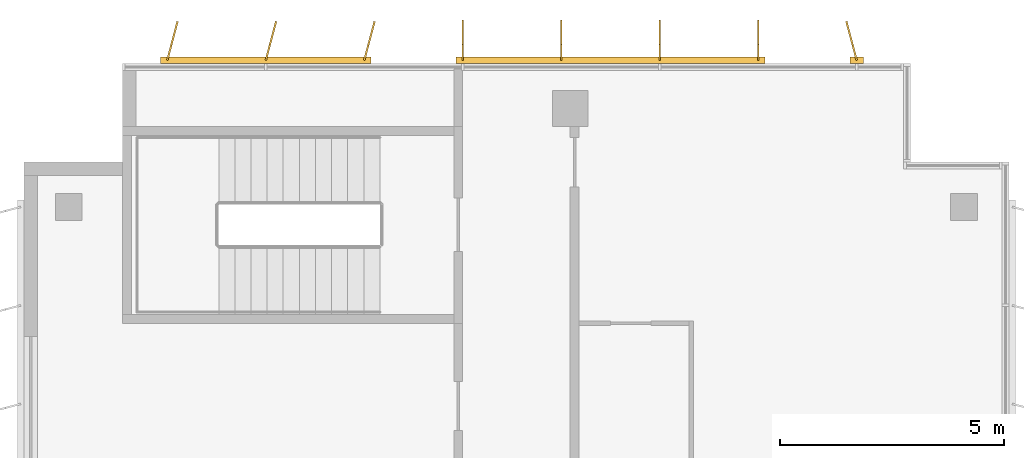
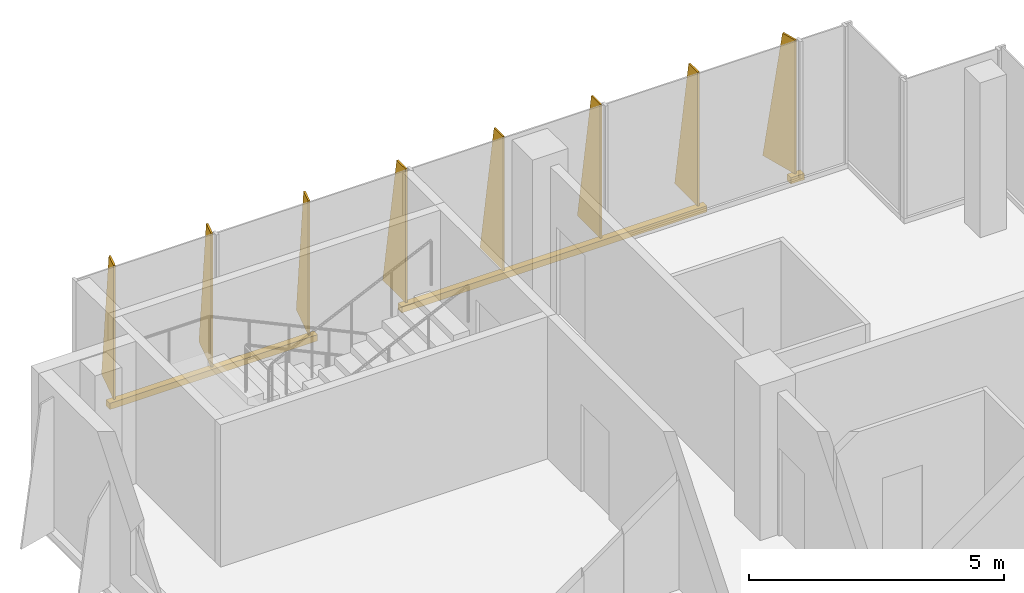
# One storey, part 17 of 17: 3 shading devices.
"""IFC4 building model written with IfcOpenShell, lengths in metres."""

import ifcopenshell
import ifcopenshell.guid

model = None  # the IFC model being written
_history = None  # IfcOwnerHistory: only IFC2X3 demands one
_inside = {}  # id of a spatial element -> (the spatial element, [elements in it])
_under = {}  # id of a project, library or spatial element -> (it, [spatial elements below it])
_declared = {}  # id of a project -> (the project, [libraries it declares])
_typed = {}  # id of a type object -> (the type object, [elements of that type])
_made_of = {}  # id of a material, layer set ... -> (it, [elements and type objects made of it])


def new_model(schema):
    """Start an empty IFC model of exactly this schema.

    Asked for "IFC4X3", IfcOpenShell would pick the latest addendum, in which some entities
    have other attributes; the version numbers below select the first issue.
    IFC2X3 requires an IfcOwnerHistory on every rooted entity: one is made here for all.
    """
    global model, _history
    if schema == "IFC4X3":
        model = ifcopenshell.file(schema_version=(4, 3, 0, 0))
    else:
        model = ifcopenshell.file(schema=schema)
    _inside.clear()
    _under.clear()
    _declared.clear()
    _typed.clear()
    _made_of.clear()
    _history = None
    if model.schema == "IFC2X3":
        org = make("IfcOrganization", Name="unknown")
        user = make(
            "IfcPersonAndOrganization",
            ThePerson=make("IfcPerson", FamilyName="unknown"),
            TheOrganization=org,
        )
        app = make(
            "IfcApplication",
            ApplicationDeveloper=org,
            Version="unknown",
            ApplicationFullName="unknown",
            ApplicationIdentifier="unknown",
        )
        _history = make(
            "IfcOwnerHistory",
            OwningUser=user,
            OwningApplication=app,
            ChangeAction="ADDED",
            CreationDate=0,
        )
    return model


def make(cls, **values):
    """One entity of the class cls with the attributes given. An attribute that is None is left unset."""
    return model.create_entity(
        cls, **{name: value for name, value in values.items() if value is not None}
    )


def rooted(cls, **values):
    """An entity with a GlobalId (a new one), such as an element, a storey or a relation."""
    return make(cls, GlobalId=ifcopenshell.guid.new(), OwnerHistory=_history, **values)


def si_unit(unit_type, name, prefix=None):
    """IfcSIUnit, for example si_unit("LENGTHUNIT", "METRE", prefix="MILLI")."""
    return make("IfcSIUnit", UnitType=unit_type, Prefix=prefix, Name=name)


def assignment(units):
    """IfcUnitAssignment: the units of a project."""
    return None if units is None else make("IfcUnitAssignment", Units=units)


def point(xyz):
    """IfcCartesianPoint."""
    return None if xyz is None else make("IfcCartesianPoint", Coordinates=xyz)


def direction(xyz):
    """IfcDirection."""
    return None if xyz is None else make("IfcDirection", DirectionRatios=xyz)


def frame(location, z_axis=None, x_axis=None):
    """IfcAxis2Placement3D, a coordinate frame: its origin and axes. An axis left out is left unset."""
    return make(
        "IfcAxis2Placement3D",
        Location=point(location),
        Axis=direction(z_axis),
        RefDirection=direction(x_axis),
    )


def frame_2d(location, x_axis=None):
    """IfcAxis2Placement2D, a coordinate frame in the plane: its origin and x axis."""
    return make(
        "IfcAxis2Placement2D", Location=point(location), RefDirection=direction(x_axis)
    )


def origin():
    """The frame at (0, 0, 0) with its axes left unset."""
    return frame((0.0, 0.0, 0.0))


def origin_2d():
    """The frame at (0, 0) in the plane with its x axis left unset."""
    return frame_2d((0.0, 0.0))


def place(relative_to, where):
    """IfcLocalPlacement: puts the frame where relative to a parent placement (None: the world)."""
    return make(
        "IfcLocalPlacement", PlacementRelTo=relative_to, RelativePlacement=where
    )


def context(
    kind, dimensions, precision=None, world=None, true_north=None, identifier=None
):
    """IfcGeometricRepresentationContext, for example the 3D "Model" context."""
    return make(
        "IfcGeometricRepresentationContext",
        ContextIdentifier=identifier,
        ContextType=kind,
        CoordinateSpaceDimension=dimensions,
        Precision=precision,
        WorldCoordinateSystem=world,
        TrueNorth=true_north,
    )


def subcontext(parent, identifier, kind, view, scale=None):
    """IfcGeometricRepresentationSubContext, for example "Body" below "Model"."""
    return make(
        "IfcGeometricRepresentationSubContext",
        ContextIdentifier=identifier,
        ContextType=kind,
        ParentContext=parent,
        TargetScale=scale,
        TargetView=view,
    )


def project(units=None, contexts=None):
    """IfcProject with its units and contexts."""
    return rooted(
        "IfcProject",
        Name="project",
        RepresentationContexts=contexts,
        UnitsInContext=assignment(units),
    )


def spatial(cls, under=None, at=None, **own):
    """A site, building, storey or space (cls), placed at a placement, below another one or the project."""
    s = rooted(cls, ObjectPlacement=at, **own)
    if under is not None:
        _under.setdefault(under.id(), (under, []))[1].append(s)
    return s


def polyline(points):
    """IfcPolyline through the points."""
    return make("IfcPolyline", Points=[point(p) for p in points])


def profile(cls, at=None, kind="AREA", **sizes):
    """A parametric profile (cls). Its sizes go by their IFC names, for example OverallWidth=200.0."""
    return make(cls, ProfileType=kind, Position=at, **sizes)


def rectangle(**sizes):
    """IfcRectangleProfileDef."""
    return profile("IfcRectangleProfileDef", **sizes)


def outline(outer, holes=None, kind="AREA"):
    """IfcArbitraryClosedProfileDef: a profile drawn as a closed curve; with holes, ...WithVoids."""
    if holes is None:
        return make("IfcArbitraryClosedProfileDef", ProfileType=kind, OuterCurve=outer)
    return make(
        "IfcArbitraryProfileDefWithVoids",
        ProfileType=kind,
        OuterCurve=outer,
        InnerCurves=holes,
    )


def extrude(swept, where, along, depth):
    """IfcExtrudedAreaSolid: the profile swept, set in the frame where, extruded along a direction by depth."""
    return make(
        "IfcExtrudedAreaSolid",
        SweptArea=swept,
        Position=where,
        ExtrudedDirection=direction(along),
        Depth=depth,
    )


def shape(context_of_items, identifier, shape_type, items):
    """IfcShapeRepresentation: the items that make up one representation, for example the "Body"."""
    return make(
        "IfcShapeRepresentation",
        ContextOfItems=context_of_items,
        RepresentationIdentifier=identifier,
        RepresentationType=shape_type,
        Items=items,
    )


def source(mapping_origin, context_of_items, identifier, shape_type, items):
    """IfcRepresentationMap: a shape defined once, which mapped items show again and again."""
    return make(
        "IfcRepresentationMap",
        MappingOrigin=mapping_origin,
        MappedRepresentation=shape(context_of_items, identifier, shape_type, items),
    )


def transform(
    local_origin,
    x_axis=None,
    y_axis=None,
    z_axis=None,
    scale=None,
    scale2=None,
    scale3=None,
    uniform=True,
):
    """IfcCartesianTransformationOperator3D, or its non-uniform kind. x_axis, y_axis, z_axis: its Axis1, 2, 3."""
    if uniform:
        return make(
            "IfcCartesianTransformationOperator3D",
            Axis1=direction(x_axis),
            Axis2=direction(y_axis),
            LocalOrigin=point(local_origin),
            Scale=scale,
            Axis3=direction(z_axis),
        )
    return make(
        "IfcCartesianTransformationOperator3DnonUniform",
        Axis1=direction(x_axis),
        Axis2=direction(y_axis),
        LocalOrigin=point(local_origin),
        Scale=scale,
        Axis3=direction(z_axis),
        Scale2=scale2,
        Scale3=scale3,
    )


def mapped(mapping_source, mapping_target):
    """IfcMappedItem: shows the shape of a source again, moved by a transform."""
    return make(
        "IfcMappedItem", MappingSource=mapping_source, MappingTarget=mapping_target
    )


def material(Name=None, Category=None):
    """IfcMaterial."""
    return make("IfcMaterial", Name=Name, Category=Category)


def layer(
    of_material, thickness, ventilated=None, Name=None, Category=None, Priority=None
):
    """IfcMaterialLayer: one layer of a wall or slab, of a material (None: an air gap)."""
    return make(
        "IfcMaterialLayer",
        Material=of_material,
        LayerThickness=thickness,
        IsVentilated=ventilated,
        Name=Name,
        Category=Category,
        Priority=Priority,
    )


def layer_set(layers, Name=None):
    """IfcMaterialLayerSet."""
    return make("IfcMaterialLayerSet", MaterialLayers=layers, LayerSetName=Name)


def made_of(thing, what):
    """Note that an element or type object is made of a material, layer set ...; save() writes the relation."""
    if what is not None:
        _made_of.setdefault(what.id(), (what, []))[1].append(thing)
    return thing


def type_object(cls, material=None, **own):
    """A type object (cls), such as IfcWallType, which elements share."""
    return made_of(rooted(cls, **own), material)


def element(
    cls,
    number,
    at=None,
    inside=None,
    cuts=None,
    type_object=None,
    material=None,
    context=None,
    identifier="Body",
    shape_type=None,
    held_by="IfcProductDefinitionShape",
    body=None,
    shapes=None,
    **own,
):
    """One element of the class cls, such as IfcWall. Its Tag is "e" and its number.

    at: its placement. inside: the storey or other place that contains it. cuts: it is an
    opening in that element (IfcRelVoidsElement). A single representation is given by context,
    identifier, shape_type and body (its items); several are given by shapes. held_by: the class
    of the entity that holds the representations. save() writes the other relations.
    """
    e = rooted(cls, Tag="e%d" % number, ObjectPlacement=at, **own)
    if body is not None:
        shapes = [shape(context, identifier, shape_type, body)]
    if shapes is not None:
        e.Representation = make(held_by, Representations=shapes)
    if inside is not None:
        _inside.setdefault(inside.id(), (inside, []))[1].append(e)
    if cuts is not None:
        rooted(
            "IfcRelVoidsElement", RelatingBuildingElement=cuts, RelatedOpeningElement=e
        )
    if type_object is not None:
        _typed.setdefault(type_object.id(), (type_object, []))[1].append(e)
    return made_of(e, material)


def aggregate(whole, parts):
    """IfcRelAggregates: a whole, such as a stair, and the parts it consists of."""
    return rooted("IfcRelAggregates", RelatingObject=whole, RelatedObjects=parts)


def save(model, path):
    """Write the relations noted so far, then the file.

    IfcRelAggregates (storeys below a building ...), IfcRelContainedInSpatialStructure (elements
    in a storey), IfcRelDefinesByType, IfcRelAssociatesMaterial and IfcRelDeclares: one each for
    every whole, place, type object, material and project.
    """
    for whole, parts in _under.values():
        aggregate(whole, parts)
    for where, things in _inside.values():
        rooted(
            "IfcRelContainedInSpatialStructure",
            RelatedElements=things,
            RelatingStructure=where,
        )
    for kind, things in _typed.values():
        rooted("IfcRelDefinesByType", RelatedObjects=things, RelatingType=kind)
    for what, things in _made_of.values():
        rooted("IfcRelAssociatesMaterial", RelatedObjects=things, RelatingMaterial=what)
    for by, libraries in _declared.values():
        rooted("IfcRelDeclares", RelatingContext=by, RelatedDefinitions=libraries)
    model.write(path)


model = new_model("IFC4")

# Units and contexts
model_context = context("Model", 3, precision=1e-05, world=origin(), true_north=direction((0.0, 1.0)))
body_context = subcontext(model_context, "Body", "Model", "MODEL_VIEW")
ifc_project = project(units=[si_unit("LENGTHUNIT", "METRE"), si_unit("AREAUNIT", "SQUARE_METRE"), si_unit("VOLUMEUNIT", "CUBIC_METRE"), si_unit("PLANEANGLEUNIT", "RADIAN"), si_unit("MASSUNIT", "GRAM", prefix="KILO")], contexts=[model_context])

# Site, building, storey
site_placement = place(None, origin())
site = spatial("IfcSite", under=ifc_project, at=site_placement, CompositionType="ELEMENT")
building_placement = place(site_placement, origin())
building = spatial("IfcBuilding", under=site, at=building_placement, Name="Kemantara Hotel Tower", CompositionType="ELEMENT")
storey_placement = place(building_placement, frame((0.0, 0.0, 226.5)))
storey = spatial("IfcBuildingStorey", under=building, at=storey_placement, Name="L56", CompositionType="ELEMENT", Elevation=226.5)

# Shading devices
ifc_material = material(Name="Perforated aluminium plate 4 mm bronze anodised", Category="aluminium")
ifc_layer_1 = layer(ifc_material, 0.0400390625)
ifc_layer_set_1 = layer_set([ifc_layer_1], Name="Perforated aluminium plate 4 mm bronze anodised")
shading_device_type_1 = type_object("IfcShadingDeviceType", Name="SCREEN FIN CASSETTE, 3 BLADES AT -15.0 DEG, 3200 HIGH", PredefinedType="USERDEFINED", material=ifc_layer_set_1)
shared_shape_1 = source(origin(), body_context, "Body", "SweptSolid", [
    extrude(rectangle(XDim=4.699951171875, YDim=0.14990234375, at=origin_2d()), frame((2.199951171875, -0.074951171875, -0.14990234375), z_axis=(0.0, 0.0, 1.0), x_axis=(1.0, 0.0, 0.0)), (0.0, 0.0, 1.0), 0.14990234375),
    extrude(outline(polyline([(0.0, 0.0), (0.89990234375, 0.0), (0.35009765625, 3.199951171875), (0.0, 3.199951171875), (0.0, 0.0)])), frame((0.019287109375, -0.080078125, 0.0), z_axis=(-0.966437683387, 0.256901156343, 0.0), x_axis=(-0.256901156343, -0.966437683387, 0.0)), (0.0, 0.0, 1.0), 0.039794921875),
    extrude(outline(polyline([(0.0, 0.0), (0.89990234375, 0.0), (0.35009765625, 3.199951171875), (0.0, 3.199951171875), (0.0, 0.0)])), frame((2.21923828125, -0.080078125, 0.0), z_axis=(-0.966437683387, 0.256901156343, 0.0), x_axis=(-0.256901156343, -0.966437683387, 0.0)), (0.0, 0.0, 1.0), 0.039794921875),
    extrude(outline(polyline([(0.0, 0.0), (0.89990234375, 0.0), (0.35009765625, 3.199951171875), (0.0, 3.199951171875), (0.0, 0.0)])), frame((4.41943359375, -0.080078125, 0.0), z_axis=(-0.966837822169, 0.255391122837, 0.0), x_axis=(-0.255391122837, -0.966837822169, 0.0)), (0.0, 0.0, 1.0), 0.0400390625),
])
shading_device_1_placement = place(storey_placement, frame((7.60009765625, 63.60009765625, 0.10009765625), z_axis=(0.0, 0.0, 1.0), x_axis=(-1.0, 0.0, 0.0)))
element("IfcShadingDevice", 1, at=shading_device_1_placement, inside=storey, type_object=shading_device_type_1, Name="SCREEN FIN CASSETTE L56 T4-R02-3", ObjectType="SCREEN FIN", PredefinedType="USERDEFINED", context=body_context, shape_type="MappedRepresentation", body=[
    mapped(shared_shape_1, transform((0.0, 0.0, 0.0))),
])
ifc_layer_2 = layer(ifc_material, 0.0400390625)
ifc_layer_set_2 = layer_set([ifc_layer_2], Name="Perforated aluminium plate 4 mm bronze anodised")
shading_device_type_2 = type_object("IfcShadingDeviceType", Name="SCREEN FIN CASSETTE, 4 BLADES AT +0.0 DEG, 3200 HIGH", PredefinedType="USERDEFINED", material=ifc_layer_set_2)
shared_shape_2 = source(origin(), body_context, "Body", "SweptSolid", [
    extrude(rectangle(XDim=6.89990234375, YDim=0.14990234375, at=origin_2d()), frame((3.300048828125, -0.074951171875, -0.14990234375), z_axis=(0.0, 0.0, 1.0), x_axis=(1.0, 0.0, 0.0)), (0.0, 0.0, 1.0), 0.14990234375),
    extrude(outline(polyline([(0.0, 0.0), (0.89990234375, 0.0), (0.35009765625, 3.199951171875), (0.0, 3.199951171875), (0.0, 0.0)])), frame((0.02001953125, -0.074951171875, 0.0), z_axis=(-1.0, 0.0, 0.0), x_axis=(0.0, -1.0, 0.0)), (0.0, 0.0, 1.0), 0.0400390625),
    extrude(outline(polyline([(0.0, 0.0), (0.89990234375, 0.0), (0.35009765625, 3.199951171875), (0.0, 3.199951171875), (0.0, 0.0)])), frame((2.219970703125, -0.074951171875, 0.0), z_axis=(-1.0, 0.0, 0.0), x_axis=(0.0, -1.0, 0.0)), (0.0, 0.0, 1.0), 0.0400390625),
    extrude(outline(polyline([(0.0, 0.0), (0.89990234375, 0.0), (0.35009765625, 3.199951171875), (0.0, 3.199951171875), (0.0, 0.0)])), frame((4.419921875, -0.074951171875, 0.0), z_axis=(-1.0, 0.0, 0.0), x_axis=(0.0, -1.0, 0.0)), (0.0, 0.0, 1.0), 0.0400390625),
    extrude(outline(polyline([(0.0, 0.0), (0.89990234375, 0.0), (0.35009765625, 3.199951171875), (0.0, 3.199951171875), (0.0, 0.0)])), frame((6.6201171875, -0.074951171875, 0.0), z_axis=(-1.0, 0.0, 0.0), x_axis=(0.0, -1.0, 0.0)), (0.0, 0.0, 1.0), 0.0400390625),
])
shading_device_2_placement = place(storey_placement, frame((16.39990234375, 63.60009765625, 0.10009765625), z_axis=(0.0, 0.0, 1.0), x_axis=(-1.0, 0.0, 0.0)))
element("IfcShadingDevice", 2, at=shading_device_2_placement, inside=storey, type_object=shading_device_type_2, Name="SCREEN FIN CASSETTE L56 T4-R02-2", ObjectType="SCREEN FIN", PredefinedType="USERDEFINED", context=body_context, shape_type="MappedRepresentation", body=[
    mapped(shared_shape_2, transform((0.0, 0.0, 0.0))),
])
ifc_layer_3 = layer(ifc_material, 0.0400390625)
ifc_layer_set_3 = layer_set([ifc_layer_3], Name="Perforated aluminium plate 4 mm bronze anodised")
shading_device_type_3 = type_object("IfcShadingDeviceType", Name="SCREEN FIN CASSETTE, 1 BLADE AT +15.0 DEG, 3200 HIGH", PredefinedType="USERDEFINED", material=ifc_layer_set_3)
shared_shape_3 = source(origin(), body_context, "Body", "SweptSolid", [
    extrude(rectangle(XDim=0.300048828125, YDim=0.14990234375, at=origin_2d()), frame((0.0, -0.074951171875, -0.14990234375), z_axis=(0.0, 0.0, 1.0), x_axis=(1.0, 0.0, 0.0)), (0.0, 0.0, 1.0), 0.14990234375),
    extrude(outline(polyline([(0.0, 0.0), (0.89990234375, 0.0), (0.35009765625, 3.199951171875), (0.0, 3.199951171875), (0.0, 0.0)])), frame((0.019287109375, -0.06982421875, 0.0), z_axis=(-0.966437683387, -0.256901156343, 0.0), x_axis=(0.256901156343, -0.966437683387, 0.0)), (0.0, 0.0, 1.0), 0.039794921875),
])
shading_device_3_placement = place(storey_placement, frame((18.60009765625, 63.60009765625, 0.10009765625), z_axis=(0.0, 0.0, 1.0), x_axis=(-1.0, 0.0, 0.0)))
element("IfcShadingDevice", 3, at=shading_device_3_placement, inside=storey, type_object=shading_device_type_3, Name="SCREEN FIN CASSETTE L56 T4-R02-1", ObjectType="SCREEN FIN", PredefinedType="USERDEFINED", context=body_context, shape_type="MappedRepresentation", body=[
    mapped(shared_shape_3, transform((0.0, 0.0, 0.0))),
])

save(model, "model.ifc")
